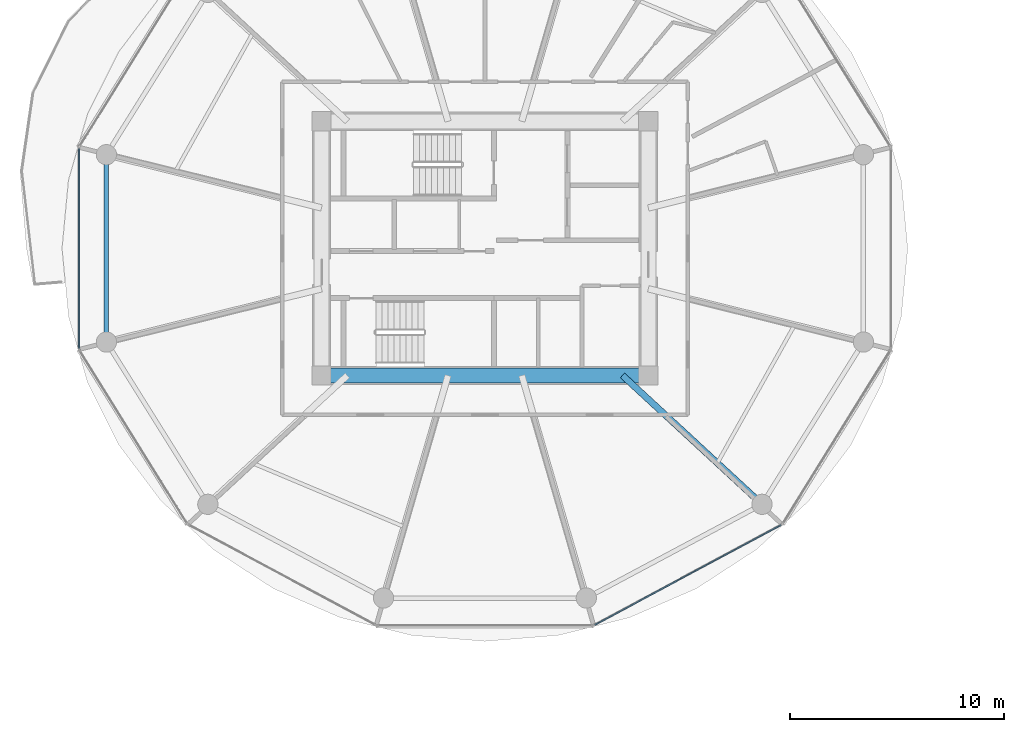
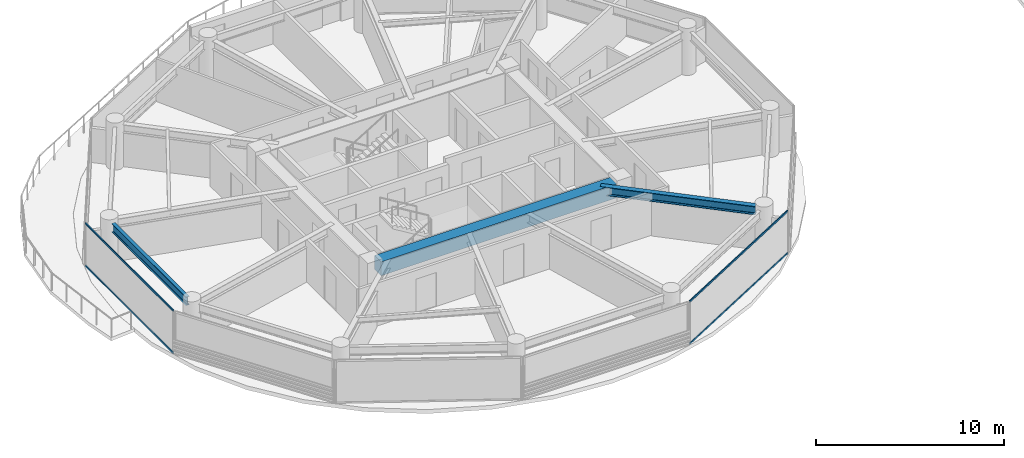
# One storey, part 3 of 26: 4 members, 3 beams, 2 elements without a shape of their own.
"""IFC4 building model written with IfcOpenShell, lengths in metres."""

import ifcopenshell
import ifcopenshell.guid

model = None  # the IFC model being written
_history = None  # IfcOwnerHistory: only IFC2X3 demands one
_inside = {}  # id of a spatial element -> (the spatial element, [elements in it])
_under = {}  # id of a project, library or spatial element -> (it, [spatial elements below it])
_declared = {}  # id of a project -> (the project, [libraries it declares])
_typed = {}  # id of a type object -> (the type object, [elements of that type])
_made_of = {}  # id of a material, layer set ... -> (it, [elements and type objects made of it])


def new_model(schema):
    """Start an empty IFC model of exactly this schema.

    Asked for "IFC4X3", IfcOpenShell would pick the latest addendum, in which some entities
    have other attributes; the version numbers below select the first issue.
    IFC2X3 requires an IfcOwnerHistory on every rooted entity: one is made here for all.
    """
    global model, _history
    if schema == "IFC4X3":
        model = ifcopenshell.file(schema_version=(4, 3, 0, 0))
    else:
        model = ifcopenshell.file(schema=schema)
    _inside.clear()
    _under.clear()
    _declared.clear()
    _typed.clear()
    _made_of.clear()
    _history = None
    if model.schema == "IFC2X3":
        org = make("IfcOrganization", Name="unknown")
        user = make(
            "IfcPersonAndOrganization",
            ThePerson=make("IfcPerson", FamilyName="unknown"),
            TheOrganization=org,
        )
        app = make(
            "IfcApplication",
            ApplicationDeveloper=org,
            Version="unknown",
            ApplicationFullName="unknown",
            ApplicationIdentifier="unknown",
        )
        _history = make(
            "IfcOwnerHistory",
            OwningUser=user,
            OwningApplication=app,
            ChangeAction="ADDED",
            CreationDate=0,
        )
    return model


def make(cls, **values):
    """One entity of the class cls with the attributes given. An attribute that is None is left unset."""
    return model.create_entity(
        cls, **{name: value for name, value in values.items() if value is not None}
    )


def rooted(cls, **values):
    """An entity with a GlobalId (a new one), such as an element, a storey or a relation."""
    return make(cls, GlobalId=ifcopenshell.guid.new(), OwnerHistory=_history, **values)


def si_unit(unit_type, name, prefix=None):
    """IfcSIUnit, for example si_unit("LENGTHUNIT", "METRE", prefix="MILLI")."""
    return make("IfcSIUnit", UnitType=unit_type, Prefix=prefix, Name=name)


def assignment(units):
    """IfcUnitAssignment: the units of a project."""
    return None if units is None else make("IfcUnitAssignment", Units=units)


def point(xyz):
    """IfcCartesianPoint."""
    return None if xyz is None else make("IfcCartesianPoint", Coordinates=xyz)


def direction(xyz):
    """IfcDirection."""
    return None if xyz is None else make("IfcDirection", DirectionRatios=xyz)


def frame(location, z_axis=None, x_axis=None):
    """IfcAxis2Placement3D, a coordinate frame: its origin and axes. An axis left out is left unset."""
    return make(
        "IfcAxis2Placement3D",
        Location=point(location),
        Axis=direction(z_axis),
        RefDirection=direction(x_axis),
    )


def frame_2d(location, x_axis=None):
    """IfcAxis2Placement2D, a coordinate frame in the plane: its origin and x axis."""
    return make(
        "IfcAxis2Placement2D", Location=point(location), RefDirection=direction(x_axis)
    )


def origin():
    """The frame at (0, 0, 0) with its axes left unset."""
    return frame((0.0, 0.0, 0.0))


def origin_2d():
    """The frame at (0, 0) in the plane with its x axis left unset."""
    return frame_2d((0.0, 0.0))


def place(relative_to, where):
    """IfcLocalPlacement: puts the frame where relative to a parent placement (None: the world)."""
    return make(
        "IfcLocalPlacement", PlacementRelTo=relative_to, RelativePlacement=where
    )


def context(
    kind, dimensions, precision=None, world=None, true_north=None, identifier=None
):
    """IfcGeometricRepresentationContext, for example the 3D "Model" context."""
    return make(
        "IfcGeometricRepresentationContext",
        ContextIdentifier=identifier,
        ContextType=kind,
        CoordinateSpaceDimension=dimensions,
        Precision=precision,
        WorldCoordinateSystem=world,
        TrueNorth=true_north,
    )


def subcontext(parent, identifier, kind, view, scale=None):
    """IfcGeometricRepresentationSubContext, for example "Body" below "Model"."""
    return make(
        "IfcGeometricRepresentationSubContext",
        ContextIdentifier=identifier,
        ContextType=kind,
        ParentContext=parent,
        TargetScale=scale,
        TargetView=view,
    )


def project(units=None, contexts=None):
    """IfcProject with its units and contexts."""
    return rooted(
        "IfcProject",
        Name="project",
        RepresentationContexts=contexts,
        UnitsInContext=assignment(units),
    )


def spatial(cls, under=None, at=None, **own):
    """A site, building, storey or space (cls), placed at a placement, below another one or the project."""
    s = rooted(cls, ObjectPlacement=at, **own)
    if under is not None:
        _under.setdefault(under.id(), (under, []))[1].append(s)
    return s


def profile(cls, at=None, kind="AREA", **sizes):
    """A parametric profile (cls). Its sizes go by their IFC names, for example OverallWidth=200.0."""
    return make(cls, ProfileType=kind, Position=at, **sizes)


def rectangle(**sizes):
    """IfcRectangleProfileDef."""
    return profile("IfcRectangleProfileDef", **sizes)


def i_section(**sizes):
    """IfcIShapeProfileDef."""
    return profile("IfcIShapeProfileDef", **sizes)


def extrude(swept, where, along, depth):
    """IfcExtrudedAreaSolid: the profile swept, set in the frame where, extruded along a direction by depth."""
    return make(
        "IfcExtrudedAreaSolid",
        SweptArea=swept,
        Position=where,
        ExtrudedDirection=direction(along),
        Depth=depth,
    )


def shape(context_of_items, identifier, shape_type, items):
    """IfcShapeRepresentation: the items that make up one representation, for example the "Body"."""
    return make(
        "IfcShapeRepresentation",
        ContextOfItems=context_of_items,
        RepresentationIdentifier=identifier,
        RepresentationType=shape_type,
        Items=items,
    )


def source(mapping_origin, context_of_items, identifier, shape_type, items):
    """IfcRepresentationMap: a shape defined once, which mapped items show again and again."""
    return make(
        "IfcRepresentationMap",
        MappingOrigin=mapping_origin,
        MappedRepresentation=shape(context_of_items, identifier, shape_type, items),
    )


def transform(
    local_origin,
    x_axis=None,
    y_axis=None,
    z_axis=None,
    scale=None,
    scale2=None,
    scale3=None,
    uniform=True,
):
    """IfcCartesianTransformationOperator3D, or its non-uniform kind. x_axis, y_axis, z_axis: its Axis1, 2, 3."""
    if uniform:
        return make(
            "IfcCartesianTransformationOperator3D",
            Axis1=direction(x_axis),
            Axis2=direction(y_axis),
            LocalOrigin=point(local_origin),
            Scale=scale,
            Axis3=direction(z_axis),
        )
    return make(
        "IfcCartesianTransformationOperator3DnonUniform",
        Axis1=direction(x_axis),
        Axis2=direction(y_axis),
        LocalOrigin=point(local_origin),
        Scale=scale,
        Axis3=direction(z_axis),
        Scale2=scale2,
        Scale3=scale3,
    )


def mapped(mapping_source, mapping_target):
    """IfcMappedItem: shows the shape of a source again, moved by a transform."""
    return make(
        "IfcMappedItem", MappingSource=mapping_source, MappingTarget=mapping_target
    )


def material(Name=None, Category=None):
    """IfcMaterial."""
    return make("IfcMaterial", Name=Name, Category=Category)


def layer(
    of_material, thickness, ventilated=None, Name=None, Category=None, Priority=None
):
    """IfcMaterialLayer: one layer of a wall or slab, of a material (None: an air gap)."""
    return make(
        "IfcMaterialLayer",
        Material=of_material,
        LayerThickness=thickness,
        IsVentilated=ventilated,
        Name=Name,
        Category=Category,
        Priority=Priority,
    )


def layer_set(layers, Name=None):
    """IfcMaterialLayerSet."""
    return make("IfcMaterialLayerSet", MaterialLayers=layers, LayerSetName=Name)


def material_profile(
    of_material, cross_section, Name=None, Category=None, Priority=None
):
    """IfcMaterialProfile: a cross section and its material."""
    return make(
        "IfcMaterialProfile",
        Name=Name,
        Material=of_material,
        Profile=cross_section,
        Priority=Priority,
        Category=Category,
    )


def profile_set(profiles, Name=None, composite=None):
    """IfcMaterialProfileSet."""
    return make(
        "IfcMaterialProfileSet",
        Name=Name,
        MaterialProfiles=profiles,
        CompositeProfile=composite,
    )


def made_of(thing, what):
    """Note that an element or type object is made of a material, layer set ...; save() writes the relation."""
    if what is not None:
        _made_of.setdefault(what.id(), (what, []))[1].append(thing)
    return thing


def type_object(cls, material=None, **own):
    """A type object (cls), such as IfcWallType, which elements share."""
    return made_of(rooted(cls, **own), material)


def type_shapes(of_type, sources):
    """Give a type object the sources (RepresentationMaps) that its elements show as mapped items."""
    of_type.RepresentationMaps = sources


def element(
    cls,
    number,
    at=None,
    inside=None,
    cuts=None,
    type_object=None,
    material=None,
    context=None,
    identifier="Body",
    shape_type=None,
    held_by="IfcProductDefinitionShape",
    body=None,
    shapes=None,
    **own,
):
    """One element of the class cls, such as IfcWall. Its Tag is "e" and its number.

    at: its placement. inside: the storey or other place that contains it. cuts: it is an
    opening in that element (IfcRelVoidsElement). A single representation is given by context,
    identifier, shape_type and body (its items); several are given by shapes. held_by: the class
    of the entity that holds the representations. save() writes the other relations.
    """
    e = rooted(cls, Tag="e%d" % number, ObjectPlacement=at, **own)
    if body is not None:
        shapes = [shape(context, identifier, shape_type, body)]
    if shapes is not None:
        e.Representation = make(held_by, Representations=shapes)
    if inside is not None:
        _inside.setdefault(inside.id(), (inside, []))[1].append(e)
    if cuts is not None:
        rooted(
            "IfcRelVoidsElement", RelatingBuildingElement=cuts, RelatedOpeningElement=e
        )
    if type_object is not None:
        _typed.setdefault(type_object.id(), (type_object, []))[1].append(e)
    return made_of(e, material)


def aggregate(whole, parts):
    """IfcRelAggregates: a whole, such as a stair, and the parts it consists of."""
    return rooted("IfcRelAggregates", RelatingObject=whole, RelatedObjects=parts)


def save(model, path):
    """Write the relations noted so far, then the file.

    IfcRelAggregates (storeys below a building ...), IfcRelContainedInSpatialStructure (elements
    in a storey), IfcRelDefinesByType, IfcRelAssociatesMaterial and IfcRelDeclares: one each for
    every whole, place, type object, material and project.
    """
    for whole, parts in _under.values():
        aggregate(whole, parts)
    for where, things in _inside.values():
        rooted(
            "IfcRelContainedInSpatialStructure",
            RelatedElements=things,
            RelatingStructure=where,
        )
    for kind, things in _typed.values():
        rooted("IfcRelDefinesByType", RelatedObjects=things, RelatingType=kind)
    for what, things in _made_of.values():
        rooted("IfcRelAssociatesMaterial", RelatedObjects=things, RelatingMaterial=what)
    for by, libraries in _declared.values():
        rooted("IfcRelDeclares", RelatingContext=by, RelatedDefinitions=libraries)
    model.write(path)


model = new_model("IFC4")

# Units and contexts
model_context = context("Model", 3, precision=1e-05, world=origin(), true_north=direction((0.0, 1.0)))
body_context = subcontext(model_context, "Body", "Model", "MODEL_VIEW")
ifc_project = project(units=[si_unit("LENGTHUNIT", "METRE"), si_unit("AREAUNIT", "SQUARE_METRE"), si_unit("VOLUMEUNIT", "CUBIC_METRE"), si_unit("PLANEANGLEUNIT", "RADIAN"), si_unit("MASSUNIT", "GRAM", prefix="KILO")], contexts=[model_context])

# Site, building, storey
site_placement = place(None, origin())
site = spatial("IfcSite", under=ifc_project, at=site_placement, CompositionType="ELEMENT")
building_placement = place(site_placement, origin())
building = spatial("IfcBuilding", under=site, at=building_placement, Name="Norrkilde Senior Care Towers", CompositionType="ELEMENT")
storey_placement = place(building_placement, frame((0.0, 0.0, 24.64990234375)))
storey = spatial("IfcBuildingStorey", under=building, at=storey_placement, Name="L06", CompositionType="ELEMENT", Elevation=24.64990234375)

# Beams
ifc_material_1 = material(Name="Concrete C60/75", Category="concrete")
ifc_material_profile_1 = material_profile(ifc_material_1, rectangle(XDim=0.699951171875, YDim=0.89990234375, at=origin_2d()), Name="RC BM 700x900")
ifc_profile_set_1 = profile_set([ifc_material_profile_1], Name="Concrete C60/75")
beam_type_1 = type_object("IfcBeamType", Name="Core Coupling Girder 700x900", PredefinedType="USERDEFINED", material=ifc_profile_set_1)
shared_shape_1 = source(origin(), body_context, "Body", "SweptSolid", [
    extrude(rectangle(XDim=0.699951171875, YDim=0.89990234375, at=origin_2d()), origin(), (0.0, 0.0, 1.0), 14.43994140625),
])
type_shapes(beam_type_1, [shared_shape_1])
beam_1_placement = place(storey_placement, frame((-35.219970703125, -5.949951171875, 2.340087890625), z_axis=(1.0, 0.0, 0.0), x_axis=(0.0, 1.0, 0.0)))
element("IfcBeam", 1, at=beam_1_placement, inside=storey, type_object=beam_type_1, Name="L06 Core W S Coupling Girder", ObjectType="GIRDER", PredefinedType="USERDEFINED", context=body_context, shape_type="MappedRepresentation", body=[
    mapped(shared_shape_1, transform((0.0, 0.0, 0.0), x_axis=(1.0, 0.0, 0.0), y_axis=(0.0, 1.0, 0.0), z_axis=(0.0, 0.0, 1.0), scale=1.0)),
])
ifc_material_2 = material(Name="Steel S355", Category="steel")
ifc_material_profile_2 = material_profile(ifc_material_2, i_section(OverallWidth=0.300048828125, OverallDepth=0.550048828125, WebThickness=0.014892578125, FlangeThickness=0.029052734375, FilletRadius=0.027099609375, at=origin_2d()), Name="HEB 550")
ifc_profile_set_2 = profile_set([ifc_material_profile_2], Name="Steel S355")
beam_type_2 = type_object("IfcBeamType", Name="Radial Floor Beam Z1 HEB550", PredefinedType="BEAM", material=ifc_profile_set_2)
shared_shape_2 = source(origin(), body_context, "Body", "SweptSolid", [
    extrude(i_section(OverallWidth=0.300048828125, OverallDepth=0.550048828125, WebThickness=0.014892578125, FlangeThickness=0.029052734375, FilletRadius=0.027099609375, at=origin_2d()), origin(), (0.0, 0.0, 1.0), 8.459716796875),
])
type_shapes(beam_type_2, [shared_shape_2])
beam_2_placement = place(storey_placement, frame((-21.55859375, -5.949951171875, 2.51513671875), z_axis=(0.734573269108, -0.678529374686, 0.0), x_axis=(0.678529374686, 0.734573269108, 0.0)))
element("IfcBeam", 2, at=beam_2_placement, inside=storey, type_object=beam_type_2, Name="L06 Drum W Radial Floor Beam 11", PredefinedType="BEAM", context=body_context, shape_type="MappedRepresentation", body=[
    mapped(shared_shape_2, transform((0.0, 0.0, 0.0), x_axis=(1.0, 0.0, 0.0), y_axis=(0.0, 1.0, 0.0), z_axis=(0.0, 0.0, 1.0), scale=1.0)),
])
ifc_material_profile_3 = material_profile(ifc_material_2, i_section(OverallWidth=0.2099609375, OverallDepth=0.550048828125, WebThickness=0.010986328125, FlangeThickness=0.01708984375, FilletRadius=0.02392578125, at=origin_2d()), Name="IPE 550")
ifc_profile_set_3 = profile_set([ifc_material_profile_3], Name="Steel S355")
beam_type_3 = type_object("IfcBeamType", Name="Perimeter Ring Spandrel Z1 IPE550", PredefinedType="SPANDREL", material=ifc_profile_set_3)
shared_shape_3 = source(origin(), body_context, "Body", "SweptSolid", [
    extrude(i_section(OverallWidth=0.2099609375, OverallDepth=0.550048828125, WebThickness=0.010986328125, FlangeThickness=0.01708984375, FilletRadius=0.02392578125, at=origin_2d()), origin(), (0.0, 0.0, 1.0), 7.90380859375),
])
type_shapes(beam_type_3, [shared_shape_3])
beam_3_placement = place(storey_placement, frame((-45.724853515625, 3.951904296875, 2.51513671875), z_axis=(0.0, -1.0, 0.0), x_axis=(1.0, 0.0, 0.0)))
element("IfcBeam", 3, at=beam_3_placement, inside=storey, type_object=beam_type_3, Name="L06 Drum W Perimeter Spandrel 06", PredefinedType="SPANDREL", context=body_context, shape_type="MappedRepresentation", body=[
    mapped(shared_shape_3, transform((0.0, 0.0, 0.0), x_axis=(1.0, 0.0, 0.0), y_axis=(0.0, 1.0, 0.0), z_axis=(0.0, 0.0, 1.0), scale=1.0)),
])

# Curtain wall, members
ifc_material_3 = material(Name="Triple Low-E Insulated Glazing", Category="glass")
ifc_layer = layer(ifc_material_3, 0.199951171875)
ifc_layer_set = layer_set([ifc_layer], Name="Triple Low-E Insulated Glazing")
curtain_wall_type = type_object("IfcCurtainWallType", Name="CW2 Zone 1 Memory Care Curtain Wall", PredefinedType="NOTDEFINED", material=ifc_layer_set)
curtain_wall_1_placement = place(storey_placement, origin())
curtain_wall_1 = element("IfcCurtainWall", 4, at=curtain_wall_1_placement, inside=storey, type_object=curtain_wall_type, Name="L06 Drum W Curtain Wall 09", PredefinedType="NOTDEFINED")
ifc_material_4 = material(Name="Anodised Aluminium", Category="aluminium")
ifc_material_profile_4 = material_profile(ifc_material_4, rectangle(XDim=0.06005859375, YDim=0.1201171875, at=origin_2d()), Name="ALU TRAN 60x120")
ifc_profile_set_4 = profile_set([ifc_material_profile_4], Name="Anodised Aluminium")
member_type = type_object("IfcMemberType", Name="Curtain Wall Transom Typical 60x120", PredefinedType="USERDEFINED", material=ifc_profile_set_4)
shared_shape_4 = source(origin(), body_context, "Body", "SweptSolid", [
    extrude(rectangle(XDim=0.06005859375, YDim=0.1201171875, at=origin_2d()), origin(), (0.0, 0.0, 1.0), 9.880859375),
])
member_1_placement = place(storey_placement, frame((-14.141357421875, -12.95654296875, 0.030029296875), z_axis=(-0.881267204043, -0.47261836092, 0.0), x_axis=(0.47261836092, -0.881267204043, 0.0)))
member_1 = element("IfcMember", 5, at=member_1_placement, type_object=member_type, Name="CW-2 transom 1.1", ObjectType="TRANSOM", PredefinedType="USERDEFINED", context=body_context, shape_type="MappedRepresentation", body=[
    mapped(shared_shape_4, transform((0.0, 0.0, 0.0), x_axis=(1.0, 0.0, 0.0), y_axis=(0.0, 1.0, 0.0), z_axis=(0.0, 0.0, 1.0), scale=1.0)),
])
member_2_placement = place(storey_placement, frame((-14.141357421875, -12.95654296875, 2.760009765625), z_axis=(-0.881267204043, -0.47261836092, 0.0), x_axis=(0.47261836092, -0.881267204043, 0.0)))
member_2 = element("IfcMember", 6, at=member_2_placement, type_object=member_type, Name="CW-2 transom 1.2", ObjectType="TRANSOM", PredefinedType="USERDEFINED", context=body_context, shape_type="MappedRepresentation", body=[
    mapped(shared_shape_4, transform((0.0, 0.0, 0.0), x_axis=(1.0, 0.0, 0.0), y_axis=(0.0, 1.0, 0.0), z_axis=(0.0, 0.0, 1.0), scale=1.0)),
])
aggregate(curtain_wall_1, [member_1, member_2])

curtain_wall_2_placement = place(storey_placement, origin())
curtain_wall_2 = element("IfcCurtainWall", 7, at=curtain_wall_2_placement, inside=storey, type_object=curtain_wall_type, Name="L06 Drum W Curtain Wall 05", PredefinedType="NOTDEFINED")
shared_shape_5 = source(origin(), body_context, "Body", "SweptSolid", [
    extrude(rectangle(XDim=0.06005859375, YDim=0.1201171875, at=origin_2d()), origin(), (0.0, 0.0, 1.0), 9.33251953125),
])
type_shapes(member_type, [shared_shape_4, shared_shape_5])
member_3_placement = place(storey_placement, frame((-47.009521484375, -4.666259765625, 0.030029296875), z_axis=(0.0, 1.0, 0.0), x_axis=(-1.0, 0.0, 0.0)))
member_3 = element("IfcMember", 8, at=member_3_placement, type_object=member_type, Name="CW-2 transom 1.1", ObjectType="TRANSOM", PredefinedType="USERDEFINED", context=body_context, shape_type="MappedRepresentation", body=[
    mapped(shared_shape_5, transform((0.0, 0.0, 0.0), x_axis=(1.0, 0.0, 0.0), y_axis=(0.0, 1.0, 0.0), z_axis=(0.0, 0.0, 1.0), scale=1.0)),
])
member_4_placement = place(storey_placement, frame((-47.009521484375, -4.666259765625, 2.760009765625), z_axis=(0.0, 1.0, 0.0), x_axis=(-1.0, 0.0, 0.0)))
member_4 = element("IfcMember", 9, at=member_4_placement, type_object=member_type, Name="CW-2 transom 1.2", ObjectType="TRANSOM", PredefinedType="USERDEFINED", context=body_context, shape_type="MappedRepresentation", body=[
    mapped(shared_shape_5, transform((0.0, 0.0, 0.0), x_axis=(1.0, 0.0, 0.0), y_axis=(0.0, 1.0, 0.0), z_axis=(0.0, 0.0, 1.0), scale=1.0)),
])
aggregate(curtain_wall_2, [member_3, member_4])

save(model, "model.ifc")
